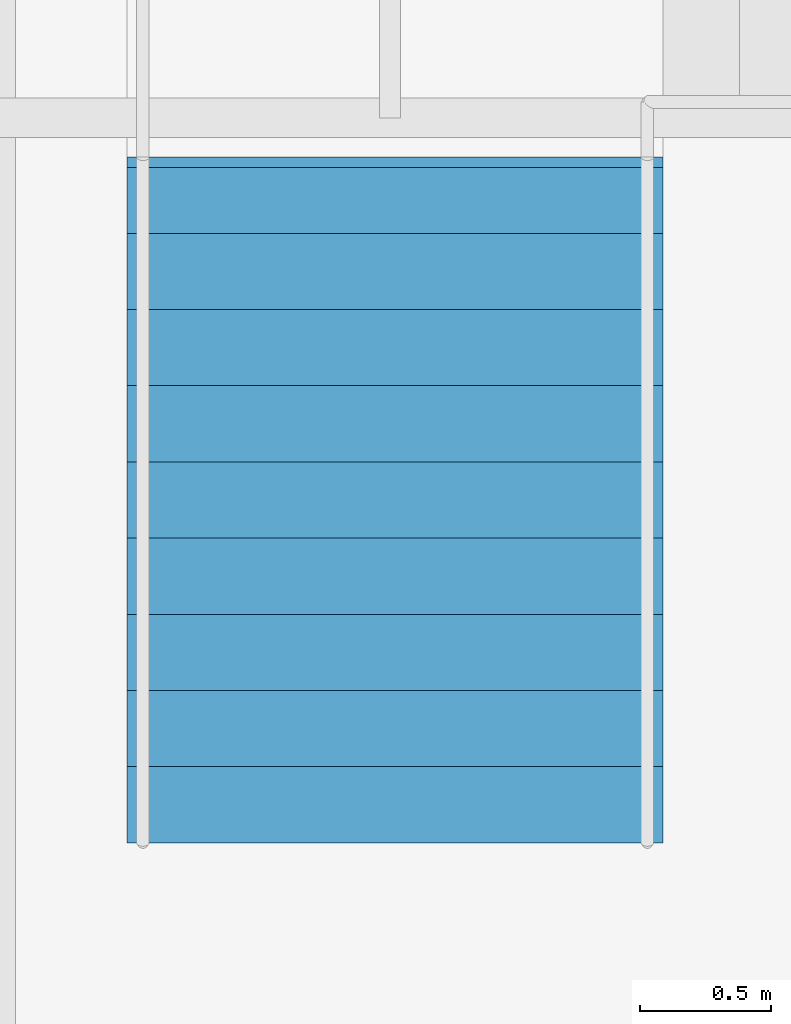
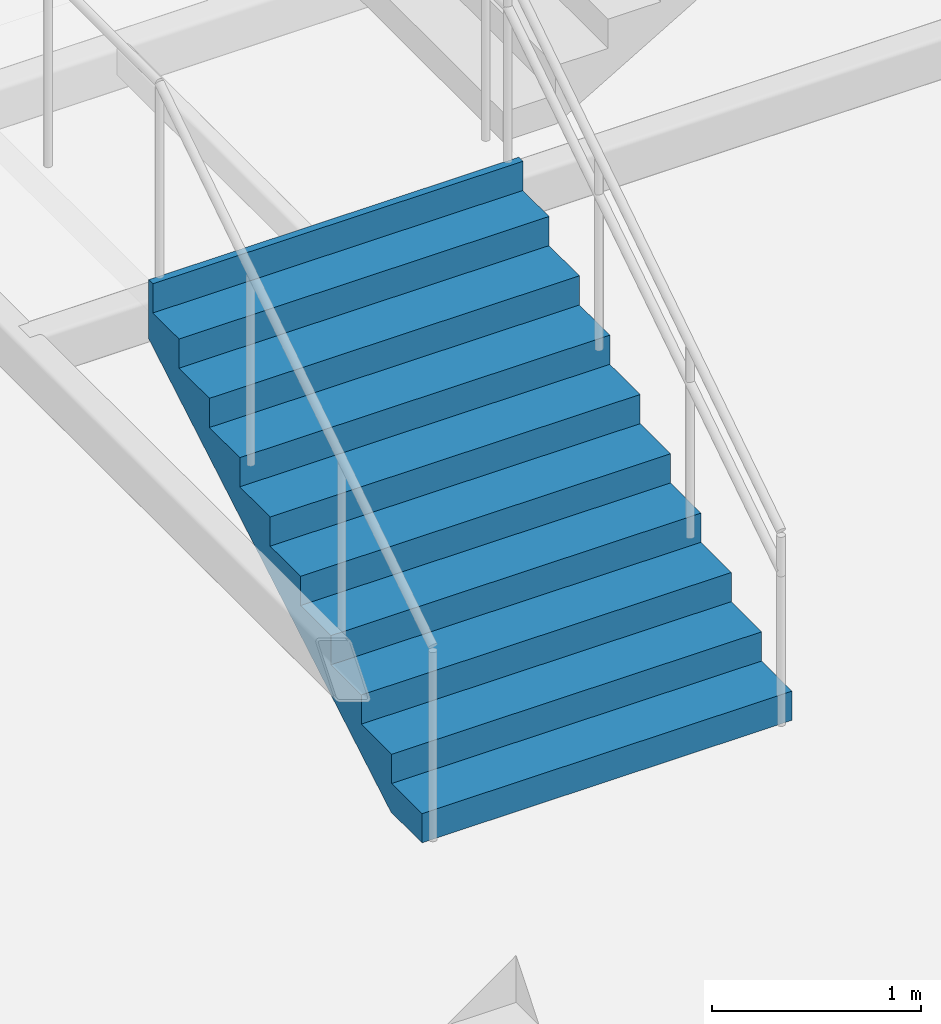
# One storey, part 58 of 67: 1 stair flight, 1 element without a shape of its own.
"""IFC4 building model written with IfcOpenShell, lengths in metres."""

from ifc_helpers import new_model, si_unit, direction, frame, origin, place, context, subcontext, project, spatial, triangles, material, type_object, element, aggregate, save


model = new_model("IFC4")

# Units and contexts
model_context = context("Model", 3, precision=1e-05, world=origin(), true_north=direction((0.0, 1.0)))
body_context = subcontext(model_context, "Body", "Model", "MODEL_VIEW")
ifc_project = project(units=[si_unit("LENGTHUNIT", "METRE"), si_unit("AREAUNIT", "SQUARE_METRE"), si_unit("VOLUMEUNIT", "CUBIC_METRE"), si_unit("PLANEANGLEUNIT", "RADIAN"), si_unit("MASSUNIT", "GRAM", prefix="KILO")], contexts=[model_context])

# Site, building, storey
site_placement = place(None, origin())
site = spatial("IfcSite", under=ifc_project, at=site_placement, CompositionType="ELEMENT")
building_placement = place(site_placement, origin())
building = spatial("IfcBuilding", under=site, at=building_placement, Name="Sillaruma Civic Art Gallery", CompositionType="ELEMENT")
storey_placement = place(building_placement, frame((0.0, 0.0, 46.919921875)))
storey = spatial("IfcBuildingStorey", under=building, at=storey_placement, Name="L09", CompositionType="ELEMENT", Elevation=46.919921875)

# Stair, stair flight
ifc_material = material(Name="Concrete H35 (35 MPa)", Category="concrete")
stair_type = type_object("IfcStairType", Name="STR-3F-30", PredefinedType="TWO_QUARTER_TURN_STAIR", material=ifc_material)
stair_placement = place(storey_placement, origin())
stair = element("IfcStair", 1, at=stair_placement, inside=storey, type_object=stair_type, Name="Monumental Gallery Feature Stair ST-G06 (L09)", PredefinedType="TWO_QUARTER_TURN_STAIR")
stair_flight_type = type_object("IfcStairFlightType", Name="SFL-STR-10", PredefinedType="STRAIGHT", material=ifc_material)
stair_flight_placement = place(storey_placement, frame((85.6201171875, 31.39990234375, 0.0), z_axis=(0.0, 0.0, 1.0), x_axis=(0.0, 1.0, 0.0)))
stair_flight = element("IfcStairFlight", 2, at=stair_flight_placement, type_object=stair_flight_type, Name="ST-G06 flight 1", NumberOfRisers=10, NumberOfTreads=9, PredefinedType="STRAIGHT", RiserHeight=0.17, TreadLength=0.29, context=body_context, shape_type="Tessellation", body=[
    triangles([(0.0, -1.02001953125, 0.0), (0.29, -1.02001953125, 0.0), (0.296521, -1.02001953125, 0.0), (0.58, -1.02001953125, 0.166177), (0.87, -1.02001953125, 0.336177), (1.16, -1.02001953125, 0.506177), (1.45, -1.02001953125, 0.676177), (1.74, -1.02001953125, 0.846177), (2.03, -1.02001953125, 1.016177), (2.32, -1.02001953125, 1.186177), (2.570107, -1.02001953125, 1.332792), (2.610107, -1.02001953125, 1.35624), (2.610107, -1.02001953125, 1.7), (2.570107, -1.02001953125, 1.7), (2.570107, -1.02001953125, 1.53), (2.32, -1.02001953125, 1.53), (2.32, -1.02001953125, 1.36), (2.03, -1.02001953125, 1.36), (2.03, -1.02001953125, 1.19), (1.74, -1.02001953125, 1.19), (1.74, -1.02001953125, 1.02), (1.45, -1.02001953125, 1.02), (1.45, -1.02001953125, 0.85), (1.16, -1.02001953125, 0.85), (1.16, -1.02001953125, 0.68), (0.87, -1.02001953125, 0.68), (0.87, -1.02001953125, 0.51), (0.58, -1.02001953125, 0.51), (0.58, -1.02001953125, 0.34), (0.296521, -1.02001953125, 0.34), (0.29, -1.02001953125, 0.34), (0.29, -1.02001953125, 0.17), (0.0, -1.02001953125, 0.17), (0.0, -0.05, 0.0), (0.29, -0.05, 0.0), (0.296521, -0.05, 0.0), (0.58, -0.05, 0.166177), (0.87, -0.05, 0.336177), (1.16, -0.05, 0.506177), (1.45, -0.05, 0.676177), (1.74, -0.05, 0.846177), (2.03, -0.05, 1.016177), (2.32, -0.05, 1.186177), (2.570107, -0.05, 1.332792), (2.610107, -0.05, 1.35624), (2.610107, -0.05, 1.7), (2.570107, -0.05, 1.7), (2.570107, -0.05, 1.53), (2.32, -0.05, 1.53), (2.32, -0.05, 1.36), (2.03, -0.05, 1.36), (2.03, -0.05, 1.19), (1.74, -0.05, 1.19), (1.74, -0.05, 1.02), (1.45, -0.05, 1.02), (1.45, -0.05, 0.85), (1.16, -0.05, 0.85), (1.16, -0.05, 0.68), (0.87, -0.05, 0.68), (0.87, -0.05, 0.51), (0.58, -0.05, 0.51), (0.58, -0.05, 0.34), (0.296521, -0.05, 0.34), (0.29, -0.05, 0.34), (0.29, -0.05, 0.17), (0.0, -0.05, 0.17), (0.0, -0.0375, 0.0), (0.29, -0.0375, 0.0), (0.296521, -0.0375, 0.0), (0.58, -0.0375, 0.166177), (0.87, -0.0375, 0.336177), (1.16, -0.0375, 0.506177), (1.45, -0.0375, 0.676177), (1.74, -0.0375, 0.846177), (2.03, -0.0375, 1.016177), (2.32, -0.0375, 1.186177), (2.570107, -0.0375, 1.332792), (2.610107, -0.0375, 1.35624), (2.610107, -0.0375, 1.7), (2.570107, -0.0375, 1.7), (2.570107, -0.0375, 1.53), (2.32, -0.0375, 1.53), (2.32, -0.0375, 1.36), (2.03, -0.0375, 1.36), (2.03, -0.0375, 1.19), (1.74, -0.0375, 1.19), (1.74, -0.0375, 1.02), (1.45, -0.0375, 1.02), (1.45, -0.0375, 0.85), (1.16, -0.0375, 0.85), (1.16, -0.0375, 0.68), (0.87, -0.0375, 0.68), (0.87, -0.0375, 0.51), (0.58, -0.0375, 0.51), (0.58, -0.0375, 0.34), (0.296521, -0.0375, 0.34), (0.29, -0.0375, 0.34), (0.29, -0.0375, 0.17), (0.0, -0.0375, 0.17), (0.0, -0.025, 0.0), (0.29, -0.025, 0.0), (0.296521, -0.025, 0.0), (0.58, -0.025, 0.166177), (0.87, -0.025, 0.336177), (1.16, -0.025, 0.506177), (1.45, -0.025, 0.676177), (1.74, -0.025, 0.846177), (2.03, -0.025, 1.016177), (2.32, -0.025, 1.186177), (2.570107, -0.025, 1.332792), (2.610107, -0.025, 1.35624), (2.610107, -0.025, 1.7), (2.570107, -0.025, 1.7), (2.570107, -0.025, 1.53), (2.32, -0.025, 1.53), (2.32, -0.025, 1.36), (2.03, -0.025, 1.36), (2.03, -0.025, 1.19), (1.74, -0.025, 1.19), (1.74, -0.025, 1.02), (1.45, -0.025, 1.02), (1.45, -0.025, 0.85), (1.16, -0.025, 0.85), (1.16, -0.025, 0.68), (0.87, -0.025, 0.68), (0.87, -0.025, 0.51), (0.58, -0.025, 0.51), (0.58, -0.025, 0.34), (0.296521, -0.025, 0.34), (0.29, -0.025, 0.34), (0.29, -0.025, 0.17), (0.0, -0.025, 0.17), (0.0, -0.0125, 0.0), (0.29, -0.0125, 0.0), (0.296521, -0.0125, 0.0), (0.58, -0.0125, 0.166177), (0.87, -0.0125, 0.336177), (1.16, -0.0125, 0.506177), (1.45, -0.0125, 0.676177), (1.74, -0.0125, 0.846177), (2.03, -0.0125, 1.016177), (2.32, -0.0125, 1.186177), (2.570107, -0.0125, 1.332792), (2.610107, -0.0125, 1.35624), (2.610107, -0.0125, 1.7), (2.570107, -0.0125, 1.7), (2.570107, -0.0125, 1.53), (2.32, -0.0125, 1.53), (2.32, -0.0125, 1.36), (2.03, -0.0125, 1.36), (2.03, -0.0125, 1.19), (1.74, -0.0125, 1.19), (1.74, -0.0125, 1.02), (1.45, -0.0125, 1.02), (1.45, -0.0125, 0.85), (1.16, -0.0125, 0.85), (1.16, -0.0125, 0.68), (0.87, -0.0125, 0.68), (0.87, -0.0125, 0.51), (0.58, -0.0125, 0.51), (0.58, -0.0125, 0.34), (0.296521, -0.0125, 0.34), (0.29, -0.0125, 0.34), (0.29, -0.0125, 0.17), (0.0, -0.0125, 0.17), (0.0, 0.0, 0.0), (0.29, 0.0, 0.0), (0.296521, 0.0, 0.0), (0.58, 0.0, 0.166177), (0.87, 0.0, 0.336177), (1.16, 0.0, 0.506177), (1.45, 0.0, 0.676177), (1.74, 0.0, 0.846177), (2.03, 0.0, 1.016177), (2.32, 0.0, 1.186177), (2.570107, 0.0, 1.332792), (2.610107, 0.0, 1.35624), (2.610107, 0.0, 1.7), (2.570107, 0.0, 1.7), (2.570107, 0.0, 1.53), (2.32, 0.0, 1.53), (2.32, 0.0, 1.36), (2.03, 0.0, 1.36), (2.03, 0.0, 1.19), (1.74, 0.0, 1.19), (1.74, 0.0, 1.02), (1.45, 0.0, 1.02), (1.45, 0.0, 0.85), (1.16, 0.0, 0.85), (1.16, 0.0, 0.68), (0.87, 0.0, 0.68), (0.87, 0.0, 0.51), (0.58, 0.0, 0.51), (0.58, 0.0, 0.34), (0.296521, 0.0, 0.34), (0.29, 0.0, 0.34), (0.29, 0.0, 0.17), (0.0, 0.0, 0.17), (0.0, 0.0125, 0.0), (0.29, 0.0125, 0.0), (0.296521, 0.0125, 0.0), (0.58, 0.0125, 0.166177), (0.87, 0.0125, 0.336177), (1.16, 0.0125, 0.506177), (1.45, 0.0125, 0.676177), (1.74, 0.0125, 0.846177), (2.03, 0.0125, 1.016177), (2.32, 0.0125, 1.186177), (2.570107, 0.0125, 1.332792), (2.610107, 0.0125, 1.35624), (2.610107, 0.0125, 1.7), (2.570107, 0.0125, 1.7), (2.570107, 0.0125, 1.53), (2.32, 0.0125, 1.53), (2.32, 0.0125, 1.36), (2.03, 0.0125, 1.36), (2.03, 0.0125, 1.19), (1.74, 0.0125, 1.19), (1.74, 0.0125, 1.02), (1.45, 0.0125, 1.02), (1.45, 0.0125, 0.85), (1.16, 0.0125, 0.85), (1.16, 0.0125, 0.68), (0.87, 0.0125, 0.68), (0.87, 0.0125, 0.51), (0.58, 0.0125, 0.51), (0.58, 0.0125, 0.34), (0.296521, 0.0125, 0.34), (0.29, 0.0125, 0.34), (0.29, 0.0125, 0.17), (0.0, 0.0125, 0.17), (0.0, 0.025, 0.0), (0.29, 0.025, 0.0), (0.296521, 0.025, 0.0), (0.58, 0.025, 0.166177), (0.87, 0.025, 0.336177), (1.16, 0.025, 0.506177), (1.45, 0.025, 0.676177), (1.74, 0.025, 0.846177), (2.03, 0.025, 1.016177), (2.32, 0.025, 1.186177), (2.570107, 0.025, 1.332792), (2.610107, 0.025, 1.35624), (2.610107, 0.025, 1.7), (2.570107, 0.025, 1.7), (2.570107, 0.025, 1.53), (2.32, 0.025, 1.53), (2.32, 0.025, 1.36), (2.03, 0.025, 1.36), (2.03, 0.025, 1.19), (1.74, 0.025, 1.19), (1.74, 0.025, 1.02), (1.45, 0.025, 1.02), (1.45, 0.025, 0.85), (1.16, 0.025, 0.85), (1.16, 0.025, 0.68), (0.87, 0.025, 0.68), (0.87, 0.025, 0.51), (0.58, 0.025, 0.51), (0.58, 0.025, 0.34), (0.296521, 0.025, 0.34), (0.29, 0.025, 0.34), (0.29, 0.025, 0.17), (0.0, 0.025, 0.17), (0.0, 0.0375, 0.0), (0.29, 0.0375, 0.0), (0.296521, 0.0375, 0.0), (0.58, 0.0375, 0.166177), (0.87, 0.0375, 0.336177), (1.16, 0.0375, 0.506177), (1.45, 0.0375, 0.676177), (1.74, 0.0375, 0.846177), (2.03, 0.0375, 1.016177), (2.32, 0.0375, 1.186177), (2.570107, 0.0375, 1.332792), (2.610107, 0.0375, 1.35624), (2.610107, 0.0375, 1.7), (2.570107, 0.0375, 1.7), (2.570107, 0.0375, 1.53), (2.32, 0.0375, 1.53), (2.32, 0.0375, 1.36), (2.03, 0.0375, 1.36), (2.03, 0.0375, 1.19), (1.74, 0.0375, 1.19), (1.74, 0.0375, 1.02), (1.45, 0.0375, 1.02), (1.45, 0.0375, 0.85), (1.16, 0.0375, 0.85), (1.16, 0.0375, 0.68), (0.87, 0.0375, 0.68), (0.87, 0.0375, 0.51), (0.58, 0.0375, 0.51), (0.58, 0.0375, 0.34), (0.296521, 0.0375, 0.34), (0.29, 0.0375, 0.34), (0.29, 0.0375, 0.17), (0.0, 0.0375, 0.17), (0.0, 0.05, 0.0), (0.29, 0.05, 0.0), (0.296521, 0.05, 0.0), (0.58, 0.05, 0.166177), (0.87, 0.05, 0.336177), (1.16, 0.05, 0.506177), (1.45, 0.05, 0.676177), (1.74, 0.05, 0.846177), (2.03, 0.05, 1.016177), (2.32, 0.05, 1.186177), (2.570107, 0.05, 1.332792), (2.610107, 0.05, 1.35624), (2.610107, 0.05, 1.7), (2.570107, 0.05, 1.7), (2.570107, 0.05, 1.53), (2.32, 0.05, 1.53), (2.32, 0.05, 1.36), (2.03, 0.05, 1.36), (2.03, 0.05, 1.19), (1.74, 0.05, 1.19), (1.74, 0.05, 1.02), (1.45, 0.05, 1.02), (1.45, 0.05, 0.85), (1.16, 0.05, 0.85), (1.16, 0.05, 0.68), (0.87, 0.05, 0.68), (0.87, 0.05, 0.51), (0.58, 0.05, 0.51), (0.58, 0.05, 0.34), (0.296521, 0.05, 0.34), (0.29, 0.05, 0.34), (0.29, 0.05, 0.17), (0.0, 0.05, 0.17), (0.0, 1.02001953125, 0.0), (0.29, 1.02001953125, 0.0), (0.296521, 1.02001953125, 0.0), (0.58, 1.02001953125, 0.166177), (0.87, 1.02001953125, 0.336177), (1.16, 1.02001953125, 0.506177), (1.45, 1.02001953125, 0.676177), (1.74, 1.02001953125, 0.846177), (2.03, 1.02001953125, 1.016177), (2.32, 1.02001953125, 1.186177), (2.570107, 1.02001953125, 1.332792), (2.610107, 1.02001953125, 1.35624), (2.610107, 1.02001953125, 1.7), (2.570107, 1.02001953125, 1.7), (2.570107, 1.02001953125, 1.53), (2.32, 1.02001953125, 1.53), (2.32, 1.02001953125, 1.36), (2.03, 1.02001953125, 1.36), (2.03, 1.02001953125, 1.19), (1.74, 1.02001953125, 1.19), (1.74, 1.02001953125, 1.02), (1.45, 1.02001953125, 1.02), (1.45, 1.02001953125, 0.85), (1.16, 1.02001953125, 0.85), (1.16, 1.02001953125, 0.68), (0.87, 1.02001953125, 0.68), (0.87, 1.02001953125, 0.51), (0.58, 1.02001953125, 0.51), (0.58, 1.02001953125, 0.34), (0.296521, 1.02001953125, 0.34), (0.29, 1.02001953125, 0.34), (0.29, 1.02001953125, 0.17), (0.0, 1.02001953125, 0.17)], [[1, 2, 32], [1, 32, 33], [2, 3, 30], [2, 30, 32], [32, 30, 31], [3, 4, 29], [3, 29, 30], [4, 5, 27], [4, 27, 29], [29, 27, 28], [5, 6, 25], [5, 25, 27], [27, 25, 26], [6, 7, 23], [6, 23, 25], [25, 23, 24], [7, 8, 21], [7, 21, 23], [23, 21, 22], [8, 9, 19], [8, 19, 21], [21, 19, 20], [9, 10, 17], [9, 17, 19], [19, 17, 18], [10, 11, 15], [10, 15, 17], [17, 15, 16], [11, 12, 13], [11, 13, 15], [15, 13, 14], [362, 332, 331], [363, 362, 331], [360, 333, 332], [362, 360, 332], [361, 360, 362], [359, 334, 333], [360, 359, 333], [357, 335, 334], [359, 357, 334], [358, 357, 359], [355, 336, 335], [357, 355, 335], [356, 355, 357], [353, 337, 336], [355, 353, 336], [354, 353, 355], [351, 338, 337], [353, 351, 337], [352, 351, 353], [349, 339, 338], [351, 349, 338], [350, 349, 351], [347, 340, 339], [349, 347, 339], [348, 347, 349], [345, 341, 340], [347, 345, 340], [346, 345, 347], [343, 342, 341], [345, 343, 341], [344, 343, 345], [2, 1, 34], [2, 34, 35], [3, 2, 35], [3, 35, 36], [4, 3, 36], [4, 36, 37], [5, 4, 37], [5, 37, 38], [6, 5, 38], [6, 38, 39], [7, 6, 39], [7, 39, 40], [8, 7, 40], [8, 40, 41], [9, 8, 41], [9, 41, 42], [10, 9, 42], [10, 42, 43], [11, 10, 43], [11, 43, 44], [12, 11, 44], [12, 44, 45], [13, 12, 45], [13, 45, 46], [14, 13, 46], [14, 46, 47], [15, 14, 47], [15, 47, 48], [16, 15, 48], [16, 48, 49], [17, 16, 49], [17, 49, 50], [18, 17, 50], [18, 50, 51], [19, 18, 51], [19, 51, 52], [20, 19, 52], [20, 52, 53], [21, 20, 53], [21, 53, 54], [22, 21, 54], [22, 54, 55], [23, 22, 55], [23, 55, 56], [24, 23, 56], [24, 56, 57], [25, 24, 57], [25, 57, 58], [26, 25, 58], [26, 58, 59], [27, 26, 59], [27, 59, 60], [28, 27, 60], [28, 60, 61], [29, 28, 61], [29, 61, 62], [30, 29, 62], [30, 62, 63], [31, 30, 63], [31, 63, 64], [32, 31, 64], [32, 64, 65], [33, 32, 65], [33, 65, 66], [1, 33, 66], [1, 66, 34], [35, 34, 67], [35, 67, 68], [36, 35, 68], [36, 68, 69], [37, 36, 69], [37, 69, 70], [38, 37, 70], [38, 70, 71], [39, 38, 71], [39, 71, 72], [40, 39, 72], [40, 72, 73], [41, 40, 73], [41, 73, 74], [42, 41, 74], [42, 74, 75], [43, 42, 75], [43, 75, 76], [44, 43, 76], [44, 76, 77], [45, 44, 77], [45, 77, 78], [46, 45, 78], [46, 78, 79], [47, 46, 79], [47, 79, 80], [48, 47, 80], [48, 80, 81], [49, 48, 81], [49, 81, 82], [50, 49, 82], [50, 82, 83], [51, 50, 83], [51, 83, 84], [52, 51, 84], [52, 84, 85], [53, 52, 85], [53, 85, 86], [54, 53, 86], [54, 86, 87], [55, 54, 87], [55, 87, 88], [56, 55, 88], [56, 88, 89], [57, 56, 89], [57, 89, 90], [58, 57, 90], [58, 90, 91], [59, 58, 91], [59, 91, 92], [60, 59, 92], [60, 92, 93], [61, 60, 93], [61, 93, 94], [62, 61, 94], [62, 94, 95], [63, 62, 95], [63, 95, 96], [64, 63, 96], [64, 96, 97], [65, 64, 97], [65, 97, 98], [66, 65, 98], [66, 98, 99], [34, 66, 99], [34, 99, 67], [68, 67, 100], [68, 100, 101], [69, 68, 101], [69, 101, 102], [70, 69, 102], [70, 102, 103], [71, 70, 103], [71, 103, 104], [72, 71, 104], [72, 104, 105], [73, 72, 105], [73, 105, 106], [74, 73, 106], [74, 106, 107], [75, 74, 107], [75, 107, 108], [76, 75, 108], [76, 108, 109], [77, 76, 109], [77, 109, 110], [78, 77, 110], [78, 110, 111], [79, 78, 111], [79, 111, 112], [80, 79, 112], [80, 112, 113], [81, 80, 113], [81, 113, 114], [82, 81, 114], [82, 114, 115], [83, 82, 115], [83, 115, 116], [84, 83, 116], [84, 116, 117], [85, 84, 117], [85, 117, 118], [86, 85, 118], [86, 118, 119], [87, 86, 119], [87, 119, 120], [88, 87, 120], [88, 120, 121], [89, 88, 121], [89, 121, 122], [90, 89, 122], [90, 122, 123], [91, 90, 123], [91, 123, 124], [92, 91, 124], [92, 124, 125], [93, 92, 125], [93, 125, 126], [94, 93, 126], [94, 126, 127], [95, 94, 127], [95, 127, 128], [96, 95, 128], [96, 128, 129], [97, 96, 129], [97, 129, 130], [98, 97, 130], [98, 130, 131], [99, 98, 131], [99, 131, 132], [67, 99, 132], [67, 132, 100], [101, 100, 133], [101, 133, 134], [102, 101, 134], [102, 134, 135], [103, 102, 135], [103, 135, 136], [104, 103, 136], [104, 136, 137], [105, 104, 137], [105, 137, 138], [106, 105, 138], [106, 138, 139], [107, 106, 139], [107, 139, 140], [108, 107, 140], [108, 140, 141], [109, 108, 141], [109, 141, 142], [110, 109, 142], [110, 142, 143], [111, 110, 143], [111, 143, 144], [112, 111, 144], [112, 144, 145], [113, 112, 145], [113, 145, 146], [114, 113, 146], [114, 146, 147], [115, 114, 147], [115, 147, 148], [116, 115, 148], [116, 148, 149], [117, 116, 149], [117, 149, 150], [118, 117, 150], [118, 150, 151], [119, 118, 151], [119, 151, 152], [120, 119, 152], [120, 152, 153], [121, 120, 153], [121, 153, 154], [122, 121, 154], [122, 154, 155], [123, 122, 155], [123, 155, 156], [124, 123, 156], [124, 156, 157], [125, 124, 157], [125, 157, 158], [126, 125, 158], [126, 158, 159], [127, 126, 159], [127, 159, 160], [128, 127, 160], [128, 160, 161], [129, 128, 161], [129, 161, 162], [130, 129, 162], [130, 162, 163], [131, 130, 163], [131, 163, 164], [132, 131, 164], [132, 164, 165], [100, 132, 165], [100, 165, 133], [134, 133, 166], [134, 166, 167], [135, 134, 167], [135, 167, 168], [136, 135, 168], [136, 168, 169], [137, 136, 169], [137, 169, 170], [138, 137, 170], [138, 170, 171], [139, 138, 171], [139, 171, 172], [140, 139, 172], [140, 172, 173], [141, 140, 173], [141, 173, 174], [142, 141, 174], [142, 174, 175], [143, 142, 175], [143, 175, 176], [144, 143, 176], [144, 176, 177], [145, 144, 177], [145, 177, 178], [146, 145, 178], [146, 178, 179], [147, 146, 179], [147, 179, 180], [148, 147, 180], [148, 180, 181], [149, 148, 181], [149, 181, 182], [150, 149, 182], [150, 182, 183], [151, 150, 183], [151, 183, 184], [152, 151, 184], [152, 184, 185], [153, 152, 185], [153, 185, 186], [154, 153, 186], [154, 186, 187], [155, 154, 187], [155, 187, 188], [156, 155, 188], [156, 188, 189], [157, 156, 189], [157, 189, 190], [158, 157, 190], [158, 190, 191], [159, 158, 191], [159, 191, 192], [160, 159, 192], [160, 192, 193], [161, 160, 193], [161, 193, 194], [162, 161, 194], [162, 194, 195], [163, 162, 195], [163, 195, 196], [164, 163, 196], [164, 196, 197], [165, 164, 197], [165, 197, 198], [133, 165, 198], [133, 198, 166], [167, 166, 199], [167, 199, 200], [168, 167, 200], [168, 200, 201], [169, 168, 201], [169, 201, 202], [170, 169, 202], [170, 202, 203], [171, 170, 203], [171, 203, 204], [172, 171, 204], [172, 204, 205], [173, 172, 205], [173, 205, 206], [174, 173, 206], [174, 206, 207], [175, 174, 207], [175, 207, 208], [176, 175, 208], [176, 208, 209], [177, 176, 209], [177, 209, 210], [178, 177, 210], [178, 210, 211], [179, 178, 211], [179, 211, 212], [180, 179, 212], [180, 212, 213], [181, 180, 213], [181, 213, 214], [182, 181, 214], [182, 214, 215], [183, 182, 215], [183, 215, 216], [184, 183, 216], [184, 216, 217], [185, 184, 217], [185, 217, 218], [186, 185, 218], [186, 218, 219], [187, 186, 219], [187, 219, 220], [188, 187, 220], [188, 220, 221], [189, 188, 221], [189, 221, 222], [190, 189, 222], [190, 222, 223], [191, 190, 223], [191, 223, 224], [192, 191, 224], [192, 224, 225], [193, 192, 225], [193, 225, 226], [194, 193, 226], [194, 226, 227], [195, 194, 227], [195, 227, 228], [196, 195, 228], [196, 228, 229], [197, 196, 229], [197, 229, 230], [198, 197, 230], [198, 230, 231], [166, 198, 231], [166, 231, 199], [200, 199, 232], [200, 232, 233], [201, 200, 233], [201, 233, 234], [202, 201, 234], [202, 234, 235], [203, 202, 235], [203, 235, 236], [204, 203, 236], [204, 236, 237], [205, 204, 237], [205, 237, 238], [206, 205, 238], [206, 238, 239], [207, 206, 239], [207, 239, 240], [208, 207, 240], [208, 240, 241], [209, 208, 241], [209, 241, 242], [210, 209, 242], [210, 242, 243], [211, 210, 243], [211, 243, 244], [212, 211, 244], [212, 244, 245], [213, 212, 245], [213, 245, 246], [214, 213, 246], [214, 246, 247], [215, 214, 247], [215, 247, 248], [216, 215, 248], [216, 248, 249], [217, 216, 249], [217, 249, 250], [218, 217, 250], [218, 250, 251], [219, 218, 251], [219, 251, 252], [220, 219, 252], [220, 252, 253], [221, 220, 253], [221, 253, 254], [222, 221, 254], [222, 254, 255], [223, 222, 255], [223, 255, 256], [224, 223, 256], [224, 256, 257], [225, 224, 257], [225, 257, 258], [226, 225, 258], [226, 258, 259], [227, 226, 259], [227, 259, 260], [228, 227, 260], [228, 260, 261], [229, 228, 261], [229, 261, 262], [230, 229, 262], [230, 262, 263], [231, 230, 263], [231, 263, 264], [199, 231, 264], [199, 264, 232], [233, 232, 265], [233, 265, 266], [234, 233, 266], [234, 266, 267], [235, 234, 267], [235, 267, 268], [236, 235, 268], [236, 268, 269], [237, 236, 269], [237, 269, 270], [238, 237, 270], [238, 270, 271], [239, 238, 271], [239, 271, 272], [240, 239, 272], [240, 272, 273], [241, 240, 273], [241, 273, 274], [242, 241, 274], [242, 274, 275], [243, 242, 275], [243, 275, 276], [244, 243, 276], [244, 276, 277], [245, 244, 277], [245, 277, 278], [246, 245, 278], [246, 278, 279], [247, 246, 279], [247, 279, 280], [248, 247, 280], [248, 280, 281], [249, 248, 281], [249, 281, 282], [250, 249, 282], [250, 282, 283], [251, 250, 283], [251, 283, 284], [252, 251, 284], [252, 284, 285], [253, 252, 285], [253, 285, 286], [254, 253, 286], [254, 286, 287], [255, 254, 287], [255, 287, 288], [256, 255, 288], [256, 288, 289], [257, 256, 289], [257, 289, 290], [258, 257, 290], [258, 290, 291], [259, 258, 291], [259, 291, 292], [260, 259, 292], [260, 292, 293], [261, 260, 293], [261, 293, 294], [262, 261, 294], [262, 294, 295], [263, 262, 295], [263, 295, 296], [264, 263, 296], [264, 296, 297], [232, 264, 297], [232, 297, 265], [266, 265, 298], [266, 298, 299], [267, 266, 299], [267, 299, 300], [268, 267, 300], [268, 300, 301], [269, 268, 301], [269, 301, 302], [270, 269, 302], [270, 302, 303], [271, 270, 303], [271, 303, 304], [272, 271, 304], [272, 304, 305], [273, 272, 305], [273, 305, 306], [274, 273, 306], [274, 306, 307], [275, 274, 307], [275, 307, 308], [276, 275, 308], [276, 308, 309], [277, 276, 309], [277, 309, 310], [278, 277, 310], [278, 310, 311], [279, 278, 311], [279, 311, 312], [280, 279, 312], [280, 312, 313], [281, 280, 313], [281, 313, 314], [282, 281, 314], [282, 314, 315], [283, 282, 315], [283, 315, 316], [284, 283, 316], [284, 316, 317], [285, 284, 317], [285, 317, 318], [286, 285, 318], [286, 318, 319], [287, 286, 319], [287, 319, 320], [288, 287, 320], [288, 320, 321], [289, 288, 321], [289, 321, 322], [290, 289, 322], [290, 322, 323], [291, 290, 323], [291, 323, 324], [292, 291, 324], [292, 324, 325], [293, 292, 325], [293, 325, 326], [294, 293, 326], [294, 326, 327], [295, 294, 327], [295, 327, 328], [296, 295, 328], [296, 328, 329], [297, 296, 329], [297, 329, 330], [265, 297, 330], [265, 330, 298], [299, 298, 331], [299, 331, 332], [300, 299, 332], [300, 332, 333], [301, 300, 333], [301, 333, 334], [302, 301, 334], [302, 334, 335], [303, 302, 335], [303, 335, 336], [304, 303, 336], [304, 336, 337], [305, 304, 337], [305, 337, 338], [306, 305, 338], [306, 338, 339], [307, 306, 339], [307, 339, 340], [308, 307, 340], [308, 340, 341], [309, 308, 341], [309, 341, 342], [310, 309, 342], [310, 342, 343], [311, 310, 343], [311, 343, 344], [312, 311, 344], [312, 344, 345], [313, 312, 345], [313, 345, 346], [314, 313, 346], [314, 346, 347], [315, 314, 347], [315, 347, 348], [316, 315, 348], [316, 348, 349], [317, 316, 349], [317, 349, 350], [318, 317, 350], [318, 350, 351], [319, 318, 351], [319, 351, 352], [320, 319, 352], [320, 352, 353], [321, 320, 353], [321, 353, 354], [322, 321, 354], [322, 354, 355], [323, 322, 355], [323, 355, 356], [324, 323, 356], [324, 356, 357], [325, 324, 357], [325, 357, 358], [326, 325, 358], [326, 358, 359], [327, 326, 359], [327, 359, 360], [328, 327, 360], [328, 360, 361], [329, 328, 361], [329, 361, 362], [330, 329, 362], [330, 362, 363], [298, 330, 363], [298, 363, 331]], closed=True),
])
aggregate(stair, [stair_flight])

save(model, "model.ifc")
